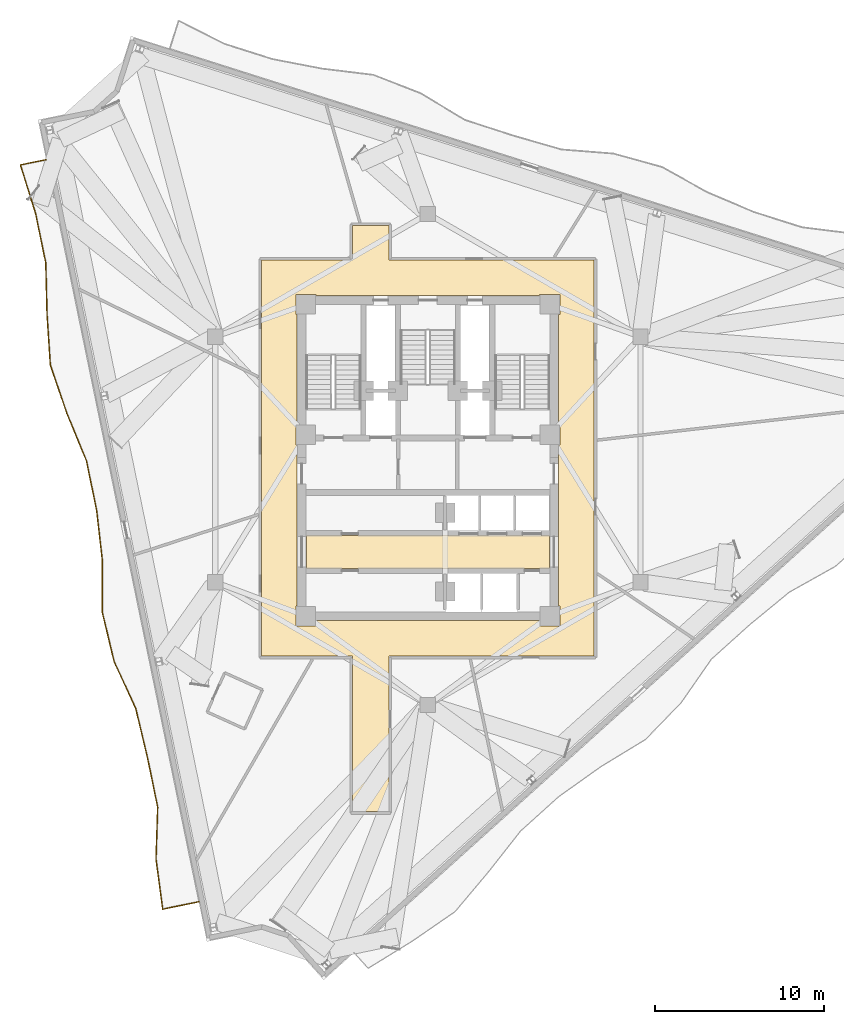
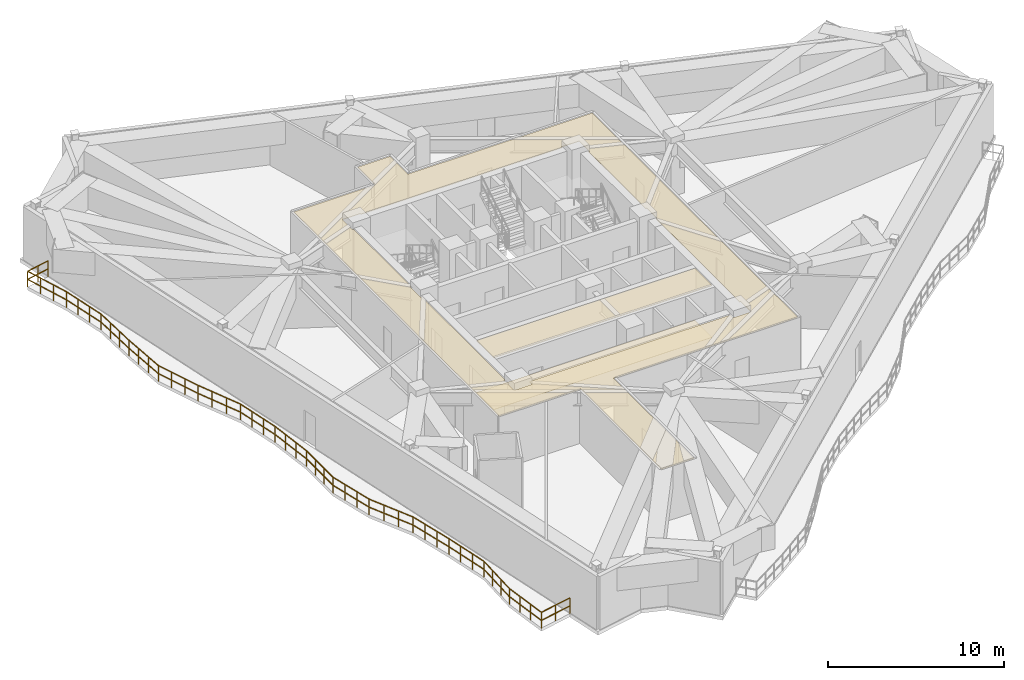
# One storey, part 9 of 12: 3 coverings, 1 railing.
"""IFC4 building model written with IfcOpenShell, lengths in metres."""

import ifcopenshell
import ifcopenshell.guid

model = None  # the IFC model being written
_history = None  # IfcOwnerHistory: only IFC2X3 demands one
_inside = {}  # id of a spatial element -> (the spatial element, [elements in it])
_under = {}  # id of a project, library or spatial element -> (it, [spatial elements below it])
_declared = {}  # id of a project -> (the project, [libraries it declares])
_typed = {}  # id of a type object -> (the type object, [elements of that type])
_made_of = {}  # id of a material, layer set ... -> (it, [elements and type objects made of it])


def new_model(schema):
    """Start an empty IFC model of exactly this schema.

    Asked for "IFC4X3", IfcOpenShell would pick the latest addendum, in which some entities
    have other attributes; the version numbers below select the first issue.
    IFC2X3 requires an IfcOwnerHistory on every rooted entity: one is made here for all.
    """
    global model, _history
    if schema == "IFC4X3":
        model = ifcopenshell.file(schema_version=(4, 3, 0, 0))
    else:
        model = ifcopenshell.file(schema=schema)
    _inside.clear()
    _under.clear()
    _declared.clear()
    _typed.clear()
    _made_of.clear()
    _history = None
    if model.schema == "IFC2X3":
        org = make("IfcOrganization", Name="unknown")
        user = make(
            "IfcPersonAndOrganization",
            ThePerson=make("IfcPerson", FamilyName="unknown"),
            TheOrganization=org,
        )
        app = make(
            "IfcApplication",
            ApplicationDeveloper=org,
            Version="unknown",
            ApplicationFullName="unknown",
            ApplicationIdentifier="unknown",
        )
        _history = make(
            "IfcOwnerHistory",
            OwningUser=user,
            OwningApplication=app,
            ChangeAction="ADDED",
            CreationDate=0,
        )
    return model


def make(cls, **values):
    """One entity of the class cls with the attributes given. An attribute that is None is left unset."""
    return model.create_entity(
        cls, **{name: value for name, value in values.items() if value is not None}
    )


def rooted(cls, **values):
    """An entity with a GlobalId (a new one), such as an element, a storey or a relation."""
    return make(cls, GlobalId=ifcopenshell.guid.new(), OwnerHistory=_history, **values)


def si_unit(unit_type, name, prefix=None):
    """IfcSIUnit, for example si_unit("LENGTHUNIT", "METRE", prefix="MILLI")."""
    return make("IfcSIUnit", UnitType=unit_type, Prefix=prefix, Name=name)


def assignment(units):
    """IfcUnitAssignment: the units of a project."""
    return None if units is None else make("IfcUnitAssignment", Units=units)


def point(xyz):
    """IfcCartesianPoint."""
    return None if xyz is None else make("IfcCartesianPoint", Coordinates=xyz)


def direction(xyz):
    """IfcDirection."""
    return None if xyz is None else make("IfcDirection", DirectionRatios=xyz)


def frame(location, z_axis=None, x_axis=None):
    """IfcAxis2Placement3D, a coordinate frame: its origin and axes. An axis left out is left unset."""
    return make(
        "IfcAxis2Placement3D",
        Location=point(location),
        Axis=direction(z_axis),
        RefDirection=direction(x_axis),
    )


def frame_2d(location, x_axis=None):
    """IfcAxis2Placement2D, a coordinate frame in the plane: its origin and x axis."""
    return make(
        "IfcAxis2Placement2D", Location=point(location), RefDirection=direction(x_axis)
    )


def origin():
    """The frame at (0, 0, 0) with its axes left unset."""
    return frame((0.0, 0.0, 0.0))


def origin_2d():
    """The frame at (0, 0) in the plane with its x axis left unset."""
    return frame_2d((0.0, 0.0))


def place(relative_to, where):
    """IfcLocalPlacement: puts the frame where relative to a parent placement (None: the world)."""
    return make(
        "IfcLocalPlacement", PlacementRelTo=relative_to, RelativePlacement=where
    )


def context(
    kind, dimensions, precision=None, world=None, true_north=None, identifier=None
):
    """IfcGeometricRepresentationContext, for example the 3D "Model" context."""
    return make(
        "IfcGeometricRepresentationContext",
        ContextIdentifier=identifier,
        ContextType=kind,
        CoordinateSpaceDimension=dimensions,
        Precision=precision,
        WorldCoordinateSystem=world,
        TrueNorth=true_north,
    )


def subcontext(parent, identifier, kind, view, scale=None):
    """IfcGeometricRepresentationSubContext, for example "Body" below "Model"."""
    return make(
        "IfcGeometricRepresentationSubContext",
        ContextIdentifier=identifier,
        ContextType=kind,
        ParentContext=parent,
        TargetScale=scale,
        TargetView=view,
    )


def project(units=None, contexts=None):
    """IfcProject with its units and contexts."""
    return rooted(
        "IfcProject",
        Name="project",
        RepresentationContexts=contexts,
        UnitsInContext=assignment(units),
    )


def spatial(cls, under=None, at=None, **own):
    """A site, building, storey or space (cls), placed at a placement, below another one or the project."""
    s = rooted(cls, ObjectPlacement=at, **own)
    if under is not None:
        _under.setdefault(under.id(), (under, []))[1].append(s)
    return s


def polyline(points):
    """IfcPolyline through the points."""
    return make("IfcPolyline", Points=[point(p) for p in points])


def profile(cls, at=None, kind="AREA", **sizes):
    """A parametric profile (cls). Its sizes go by their IFC names, for example OverallWidth=200.0."""
    return make(cls, ProfileType=kind, Position=at, **sizes)


def rectangle(**sizes):
    """IfcRectangleProfileDef."""
    return profile("IfcRectangleProfileDef", **sizes)


def outline(outer, holes=None, kind="AREA"):
    """IfcArbitraryClosedProfileDef: a profile drawn as a closed curve; with holes, ...WithVoids."""
    if holes is None:
        return make("IfcArbitraryClosedProfileDef", ProfileType=kind, OuterCurve=outer)
    return make(
        "IfcArbitraryProfileDefWithVoids",
        ProfileType=kind,
        OuterCurve=outer,
        InnerCurves=holes,
    )


def extrude(swept, where, along, depth):
    """IfcExtrudedAreaSolid: the profile swept, set in the frame where, extruded along a direction by depth."""
    return make(
        "IfcExtrudedAreaSolid",
        SweptArea=swept,
        Position=where,
        ExtrudedDirection=direction(along),
        Depth=depth,
    )


def shape(context_of_items, identifier, shape_type, items):
    """IfcShapeRepresentation: the items that make up one representation, for example the "Body"."""
    return make(
        "IfcShapeRepresentation",
        ContextOfItems=context_of_items,
        RepresentationIdentifier=identifier,
        RepresentationType=shape_type,
        Items=items,
    )


def material(Name=None, Category=None):
    """IfcMaterial."""
    return make("IfcMaterial", Name=Name, Category=Category)


def layer(
    of_material, thickness, ventilated=None, Name=None, Category=None, Priority=None
):
    """IfcMaterialLayer: one layer of a wall or slab, of a material (None: an air gap)."""
    return make(
        "IfcMaterialLayer",
        Material=of_material,
        LayerThickness=thickness,
        IsVentilated=ventilated,
        Name=Name,
        Category=Category,
        Priority=Priority,
    )


def layer_set(layers, Name=None):
    """IfcMaterialLayerSet."""
    return make("IfcMaterialLayerSet", MaterialLayers=layers, LayerSetName=Name)


def made_of(thing, what):
    """Note that an element or type object is made of a material, layer set ...; save() writes the relation."""
    if what is not None:
        _made_of.setdefault(what.id(), (what, []))[1].append(thing)
    return thing


def type_object(cls, material=None, **own):
    """A type object (cls), such as IfcWallType, which elements share."""
    return made_of(rooted(cls, **own), material)


def element(
    cls,
    number,
    at=None,
    inside=None,
    cuts=None,
    type_object=None,
    material=None,
    context=None,
    identifier="Body",
    shape_type=None,
    held_by="IfcProductDefinitionShape",
    body=None,
    shapes=None,
    **own,
):
    """One element of the class cls, such as IfcWall. Its Tag is "e" and its number.

    at: its placement. inside: the storey or other place that contains it. cuts: it is an
    opening in that element (IfcRelVoidsElement). A single representation is given by context,
    identifier, shape_type and body (its items); several are given by shapes. held_by: the class
    of the entity that holds the representations. save() writes the other relations.
    """
    e = rooted(cls, Tag="e%d" % number, ObjectPlacement=at, **own)
    if body is not None:
        shapes = [shape(context, identifier, shape_type, body)]
    if shapes is not None:
        e.Representation = make(held_by, Representations=shapes)
    if inside is not None:
        _inside.setdefault(inside.id(), (inside, []))[1].append(e)
    if cuts is not None:
        rooted(
            "IfcRelVoidsElement", RelatingBuildingElement=cuts, RelatedOpeningElement=e
        )
    if type_object is not None:
        _typed.setdefault(type_object.id(), (type_object, []))[1].append(e)
    return made_of(e, material)


def aggregate(whole, parts):
    """IfcRelAggregates: a whole, such as a stair, and the parts it consists of."""
    return rooted("IfcRelAggregates", RelatingObject=whole, RelatedObjects=parts)


def save(model, path):
    """Write the relations noted so far, then the file.

    IfcRelAggregates (storeys below a building ...), IfcRelContainedInSpatialStructure (elements
    in a storey), IfcRelDefinesByType, IfcRelAssociatesMaterial and IfcRelDeclares: one each for
    every whole, place, type object, material and project.
    """
    for whole, parts in _under.values():
        aggregate(whole, parts)
    for where, things in _inside.values():
        rooted(
            "IfcRelContainedInSpatialStructure",
            RelatedElements=things,
            RelatingStructure=where,
        )
    for kind, things in _typed.values():
        rooted("IfcRelDefinesByType", RelatedObjects=things, RelatingType=kind)
    for what, things in _made_of.values():
        rooted("IfcRelAssociatesMaterial", RelatedObjects=things, RelatingMaterial=what)
    for by, libraries in _declared.values():
        rooted("IfcRelDeclares", RelatingContext=by, RelatedDefinitions=libraries)
    model.write(path)


model = new_model("IFC4")

# Units and contexts
model_context = context("Model", 3, precision=1e-05, world=origin(), true_north=direction((0.0, 1.0)))
body_context = subcontext(model_context, "Body", "Model", "MODEL_VIEW")
ifc_project = project(units=[si_unit("LENGTHUNIT", "METRE"), si_unit("AREAUNIT", "SQUARE_METRE"), si_unit("VOLUMEUNIT", "CUBIC_METRE"), si_unit("PLANEANGLEUNIT", "RADIAN"), si_unit("MASSUNIT", "GRAM", prefix="KILO")], contexts=[model_context])

# Site, building, storey
site_placement = place(None, origin())
site = spatial("IfcSite", under=ifc_project, at=site_placement, CompositionType="ELEMENT")
building_placement = place(site_placement, origin())
building = spatial("IfcBuilding", under=site, at=building_placement, Name="Apsidion Concourse Tower", CompositionType="ELEMENT")
storey_placement = place(building_placement, frame((0.0, 0.0, 256.800048828125)))
storey = spatial("IfcBuildingStorey", under=building, at=storey_placement, Name="L60", CompositionType="ELEMENT", Elevation=256.800048828125)

# Coverings
ifc_material_1 = material(Name="Acoustic mineral fibre ceiling")
ifc_layer_1 = layer(ifc_material_1, 0.0400390625)
ifc_layer_set_1 = layer_set([ifc_layer_1], Name="Acoustic mineral fibre ceiling")
covering_type_1 = type_object("IfcCoveringType", Name="COV-CEIL-40", PredefinedType="CEILING", material=ifc_layer_set_1)
covering_1_placement = place(storey_placement, frame((0.0, 0.0, 3.599853515625)))
element("IfcCovering", 1, at=covering_1_placement, inside=storey, type_object=covering_type_1, Name="L60 Acoustic Ceiling Grid 1", PredefinedType="CEILING", context=body_context, shape_type="SweptSolid", body=[
    extrude(outline(polyline([(-7.179931640625, -6.449951171875), (-7.179931640625, -4.47998046875), (7.179931640625, -4.47998046875), (7.179931640625, -6.449951171875), (-7.179931640625, -6.449951171875)])), origin(), (0.0, 0.0, 1.0), 0.0400390625),
])
covering_2_placement = place(storey_placement, frame((0.0, 0.0, 3.599853515625)))
element("IfcCovering", 2, at=covering_2_placement, inside=storey, type_object=covering_type_1, Name="L60 Acoustic Ceiling Grid 2", PredefinedType="CEILING", context=body_context, shape_type="SweptSolid", body=[
    extrude(outline(polyline([(-9.820068359375, -11.6201171875), (-9.820068359375, 11.77001953125), (-4.449951171875, 11.77001953125), (-4.449951171875, 13.800048828125), (-2.300048828125, 13.800048828125), (-2.300048828125, 11.77001953125), (9.820068359375, 11.77001953125), (9.820068359375, -11.6201171875), (-2.300048828125, -11.6201171875), (-2.300048828125, -20.800048828125), (-4.449951171875, -20.800048828125), (-4.449951171875, -11.6201171875), (-9.820068359375, -11.6201171875)]), holes=[polyline([(-2.300048828125, 9.669921875), (-4.449951171875, 9.669921875), (-6.60498046875, 9.669921875), (-6.60498046875, 9.72509765625), (-6.60498046875, 9.72705078125), (-6.60546875, 9.72900390625), (-6.60595703125, 9.730712890625), (-6.6064453125, 9.732666015625), (-6.607421875, 9.734375), (-6.6083984375, 9.736083984375), (-6.609619140625, 9.73779296875), (-6.61083984375, 9.739013671875), (-6.6123046875, 9.740478515625), (-6.614013671875, 9.74169921875), (-6.615478515625, 9.74267578125), (-6.6171875, 9.743408203125), (-6.619140625, 9.744140625), (-6.62109375, 9.74462890625), (-6.623046875, 9.744873046875), (-6.625, 9.7451171875), (-7.77490234375, 9.7451171875), (-7.777099609375, 9.744873046875), (-7.77880859375, 9.74462890625), (-7.78076171875, 9.744140625), (-7.78271484375, 9.743408203125), (-7.784423828125, 9.74267578125), (-7.7861328125, 9.74169921875), (-7.78759765625, 9.740478515625), (-7.7890625, 9.739013671875), (-7.79052734375, 9.73779296875), (-7.79150390625, 9.736083984375), (-7.79248046875, 9.734375), (-7.79345703125, 9.732666015625), (-7.794189453125, 9.730712890625), (-7.794677734375, 9.72900390625), (-7.794921875, 9.72705078125), (-7.794921875, 9.72509765625), (-7.794921875, 8.574951171875), (-7.794921875, 8.572998046875), (-7.794677734375, 8.571044921875), (-7.794189453125, 8.569091796875), (-7.79345703125, 8.5673828125), (-7.79248046875, 8.565673828125), (-7.79150390625, 8.56396484375), (-7.79052734375, 8.562255859375), (-7.7890625, 8.560791015625), (-7.78759765625, 8.5595703125), (-7.7861328125, 8.558349609375), (-7.784423828125, 8.557373046875), (-7.78271484375, 8.556396484375), (-7.78076171875, 8.555908203125), (-7.77880859375, 8.555419921875), (-7.777099609375, 8.55517578125), (-7.77490234375, 8.554931640625), (-7.719970703125, 8.554931640625), (-7.719970703125, 2.044921875), (-7.77490234375, 2.044921875), (-7.777099609375, 2.044921875), (-7.77880859375, 2.044677734375), (-7.78076171875, 2.044189453125), (-7.78271484375, 2.04345703125), (-7.784423828125, 2.04248046875), (-7.7861328125, 2.04150390625), (-7.78759765625, 2.04052734375), (-7.7890625, 2.0390625), (-7.79052734375, 2.03759765625), (-7.79150390625, 2.0361328125), (-7.79248046875, 2.034423828125), (-7.79345703125, 2.03271484375), (-7.794189453125, 2.03076171875), (-7.794677734375, 2.02880859375), (-7.794921875, 2.027099609375), (-7.794921875, 2.02490234375), (-7.794921875, 0.875), (-7.794921875, 0.873046875), (-7.794677734375, 0.87109375), (-7.794189453125, 0.869140625), (-7.79345703125, 0.8671875), (-7.79248046875, 0.865478515625), (-7.79150390625, 0.864013671875), (-7.79052734375, 0.8623046875), (-7.7890625, 0.86083984375), (-7.78759765625, 0.859619140625), (-7.7861328125, 0.8583984375), (-7.784423828125, 0.857421875), (-7.78271484375, 0.8564453125), (-7.78076171875, 0.85595703125), (-7.77880859375, 0.85546875), (-7.777099609375, 0.85498046875), (-7.77490234375, 0.85498046875), (-7.719970703125, 0.85498046875), (-7.719970703125, -8.655029296875), (-7.77490234375, -8.655029296875), (-7.777099609375, -8.655029296875), (-7.77880859375, -8.655517578125), (-7.78076171875, -8.656005859375), (-7.78271484375, -8.656494140625), (-7.784423828125, -8.657470703125), (-7.7861328125, -8.658447265625), (-7.78759765625, -8.659423828125), (-7.7890625, -8.660888671875), (-7.79052734375, -8.662353515625), (-7.79150390625, -8.663818359375), (-7.79248046875, -8.66552734375), (-7.79345703125, -8.667236328125), (-7.794189453125, -8.669189453125), (-7.794677734375, -8.671142578125), (-7.794921875, -8.673095703125), (-7.794921875, -8.675048828125), (-7.794921875, -9.824951171875), (-7.794921875, -9.826904296875), (-7.794677734375, -9.828857421875), (-7.794189453125, -9.830810546875), (-7.79345703125, -9.832763671875), (-7.79248046875, -9.83447265625), (-7.79150390625, -9.836181640625), (-7.79052734375, -9.837646484375), (-7.7890625, -9.839111328125), (-7.78759765625, -9.840576171875), (-7.7861328125, -9.841552734375), (-7.784423828125, -9.842529296875), (-7.78271484375, -9.843505859375), (-7.78076171875, -9.843994140625), (-7.77880859375, -9.844482421875), (-7.777099609375, -9.844970703125), (-7.77490234375, -9.844970703125), (-6.625, -9.844970703125), (-6.623046875, -9.844970703125), (-6.62109375, -9.844482421875), (-6.619140625, -9.843994140625), (-6.6171875, -9.843505859375), (-6.615478515625, -9.842529296875), (-6.614013671875, -9.841552734375), (-6.6123046875, -9.840576171875), (-6.61083984375, -9.839111328125), (-6.609619140625, -9.837646484375), (-6.6083984375, -9.836181640625), (-6.607421875, -9.83447265625), (-6.6064453125, -9.832763671875), (-6.60595703125, -9.830810546875), (-6.60546875, -9.828857421875), (-6.60498046875, -9.826904296875), (-6.60498046875, -9.824951171875), (-6.60498046875, -9.52001953125), (-4.449951171875, -9.52001953125), (-2.300048828125, -9.52001953125), (6.60498046875, -9.52001953125), (6.60498046875, -9.824951171875), (6.60498046875, -9.826904296875), (6.60546875, -9.828857421875), (6.60595703125, -9.830810546875), (6.6064453125, -9.832763671875), (6.607421875, -9.83447265625), (6.6083984375, -9.836181640625), (6.609619140625, -9.837646484375), (6.61083984375, -9.839111328125), (6.6123046875, -9.840576171875), (6.614013671875, -9.841552734375), (6.615478515625, -9.842529296875), (6.6171875, -9.843505859375), (6.619140625, -9.843994140625), (6.62109375, -9.844482421875), (6.623046875, -9.844970703125), (6.625, -9.844970703125), (7.77490234375, -9.844970703125), (7.777099609375, -9.844970703125), (7.77880859375, -9.844482421875), (7.78076171875, -9.843994140625), (7.78271484375, -9.843505859375), (7.784423828125, -9.842529296875), (7.7861328125, -9.841552734375), (7.78759765625, -9.840576171875), (7.7890625, -9.839111328125), (7.79052734375, -9.837646484375), (7.79150390625, -9.836181640625), (7.79248046875, -9.83447265625), (7.79345703125, -9.832763671875), (7.794189453125, -9.830810546875), (7.794677734375, -9.828857421875), (7.794921875, -9.826904296875), (7.794921875, -9.824951171875), (7.794921875, -8.675048828125), (7.794921875, -8.673095703125), (7.794677734375, -8.671142578125), (7.794189453125, -8.669189453125), (7.79345703125, -8.667236328125), (7.79248046875, -8.66552734375), (7.79150390625, -8.663818359375), (7.79052734375, -8.662353515625), (7.7890625, -8.660888671875), (7.78759765625, -8.659423828125), (7.7861328125, -8.658447265625), (7.784423828125, -8.657470703125), (7.78271484375, -8.656494140625), (7.78076171875, -8.656005859375), (7.77880859375, -8.655517578125), (7.777099609375, -8.655029296875), (7.77490234375, -8.655029296875), (7.719970703125, -8.655029296875), (7.719970703125, 0.85498046875), (7.77490234375, 0.85498046875), (7.777099609375, 0.85498046875), (7.77880859375, 0.85546875), (7.78076171875, 0.85595703125), (7.78271484375, 0.8564453125), (7.784423828125, 0.857421875), (7.7861328125, 0.8583984375), (7.78759765625, 0.859619140625), (7.7890625, 0.86083984375), (7.79052734375, 0.8623046875), (7.79150390625, 0.864013671875), (7.79248046875, 0.865478515625), (7.79345703125, 0.8671875), (7.794189453125, 0.869140625), (7.794677734375, 0.87109375), (7.794921875, 0.873046875), (7.794921875, 0.875), (7.794921875, 2.02490234375), (7.794921875, 2.027099609375), (7.794677734375, 2.02880859375), (7.794189453125, 2.03076171875), (7.79345703125, 2.03271484375), (7.79248046875, 2.034423828125), (7.79150390625, 2.0361328125), (7.79052734375, 2.03759765625), (7.7890625, 2.0390625), (7.78759765625, 2.04052734375), (7.7861328125, 2.04150390625), (7.784423828125, 2.04248046875), (7.78271484375, 2.04345703125), (7.78076171875, 2.044189453125), (7.77880859375, 2.044677734375), (7.777099609375, 2.044921875), (7.77490234375, 2.044921875), (7.719970703125, 2.044921875), (7.719970703125, 8.554931640625), (7.77490234375, 8.554931640625), (7.777099609375, 8.55517578125), (7.77880859375, 8.555419921875), (7.78076171875, 8.555908203125), (7.78271484375, 8.556396484375), (7.784423828125, 8.557373046875), (7.7861328125, 8.558349609375), (7.78759765625, 8.5595703125), (7.7890625, 8.560791015625), (7.79052734375, 8.562255859375), (7.79150390625, 8.56396484375), (7.79248046875, 8.565673828125), (7.79345703125, 8.5673828125), (7.794189453125, 8.569091796875), (7.794677734375, 8.571044921875), (7.794921875, 8.572998046875), (7.794921875, 8.574951171875), (7.794921875, 9.72509765625), (7.794921875, 9.72705078125), (7.794677734375, 9.72900390625), (7.794189453125, 9.730712890625), (7.79345703125, 9.732666015625), (7.79248046875, 9.734375), (7.79150390625, 9.736083984375), (7.79052734375, 9.73779296875), (7.7890625, 9.739013671875), (7.78759765625, 9.740478515625), (7.7861328125, 9.74169921875), (7.784423828125, 9.74267578125), (7.78271484375, 9.743408203125), (7.78076171875, 9.744140625), (7.77880859375, 9.74462890625), (7.777099609375, 9.744873046875), (7.77490234375, 9.7451171875), (6.625, 9.7451171875), (6.623046875, 9.744873046875), (6.62109375, 9.74462890625), (6.619140625, 9.744140625), (6.6171875, 9.743408203125), (6.615478515625, 9.74267578125), (6.614013671875, 9.74169921875), (6.6123046875, 9.740478515625), (6.61083984375, 9.739013671875), (6.609619140625, 9.73779296875), (6.6083984375, 9.736083984375), (6.607421875, 9.734375), (6.6064453125, 9.732666015625), (6.60595703125, 9.730712890625), (6.60546875, 9.72900390625), (6.60498046875, 9.72705078125), (6.60498046875, 9.72509765625), (6.60498046875, 9.669921875), (-2.300048828125, 9.669921875)])]), origin(), (0.0, 0.0, 1.0), 0.0400390625),
])
ifc_material_2 = material(Name="Honed travertine floor finish", Category="masonry")
ifc_layer_2 = layer(ifc_material_2, 0.02001953125)
ifc_layer_set_2 = layer_set([ifc_layer_2], Name="Honed travertine floor finish")
covering_type_2 = type_object("IfcCoveringType", Name="COV-FLOR-20", PredefinedType="FLOORING", material=ifc_layer_set_2)
covering_3_placement = place(storey_placement, origin())
element("IfcCovering", 3, at=covering_3_placement, inside=storey, type_object=covering_type_2, Name="L60 Honed Travertine Floor Finish 1", PredefinedType="FLOORING", context=body_context, shape_type="SweptSolid", body=[
    extrude(outline(polyline([(-7.179931640625, -6.449951171875), (-7.179931640625, -4.47998046875), (7.179931640625, -4.47998046875), (7.179931640625, -6.449951171875), (-7.179931640625, -6.449951171875)])), origin(), (0.0, 0.0, 1.0), 0.02001953125),
])

# Railing
ifc_material_3 = material(Name="Brushed stainless steel 316", Category="steel")
railing_type = type_object("IfcRailingType", Name="RL-BAL-1120", PredefinedType="BALUSTRADE", material=ifc_material_3)
railing_placement = place(storey_placement, frame((-13.5322265625, -26.12451171875, 0.0)))
element("IfcRailing", 4, at=railing_placement, inside=storey, type_object=railing_type, Name="L60 Face 1 Rippling Balcony Balustrade", PredefinedType="BALUSTRADE", context=body_context, shape_type="SweptSolid", body=[
    extrude(rectangle(XDim=0.048095703125, YDim=0.048095703125, at=origin_2d()), frame((0.0, 0.0, 1.09619140625), z_axis=(-0.979489671439, -0.201494375963, 0.0), x_axis=(0.201494375963, -0.979489671439, 0.0)), (0.0, 0.0, 1.0), 2.172607421875),
    extrude(rectangle(XDim=0.048095703125, YDim=0.048095703125, at=origin_2d()), frame((0.0, 0.0, 0.5361328125), z_axis=(-0.979489671439, -0.201494375963, 0.0), x_axis=(0.201494375963, -0.979489671439, 0.0)), (0.0, 0.0, 1.0), 2.172607421875),
    extrude(rectangle(XDim=0.048095703125, YDim=0.048095703125, at=origin_2d()), frame((-2.1279296875, -0.437744140625, 1.09619140625), z_axis=(-0.132912359891, 0.991127794277, 0.0), x_axis=(-0.991127794277, -0.132912359891, 0.0)), (0.0, 0.0, 1.0), 2.990478515625),
    extrude(rectangle(XDim=0.048095703125, YDim=0.048095703125, at=origin_2d()), frame((-2.1279296875, -0.437744140625, 0.5361328125), z_axis=(-0.132912359891, 0.991127794277, 0.0), x_axis=(-0.991127794277, -0.132912359891, 0.0)), (0.0, 0.0, 1.0), 2.990478515625),
    extrude(rectangle(XDim=0.048095703125, YDim=0.048095703125, at=origin_2d()), frame((-2.525390625, 2.526123046875, 1.09619140625), z_axis=(0.032315676605, 0.99947771213, 0.0), x_axis=(-0.99947771213, 0.032315676605, 0.0)), (0.0, 0.0, 1.0), 3.0673828125),
    extrude(rectangle(XDim=0.048095703125, YDim=0.048095703125, at=origin_2d()), frame((-2.525390625, 2.526123046875, 0.5361328125), z_axis=(0.032315676605, 0.99947771213, 0.0), x_axis=(-0.99947771213, 0.032315676605, 0.0)), (0.0, 0.0, 1.0), 3.0673828125),
    extrude(rectangle(XDim=0.048095703125, YDim=0.048095703125, at=origin_2d()), frame((-2.42626953125, 5.591796875, 1.09619140625), z_axis=(-0.201417367965, 0.979505509878, 0.0), x_axis=(-0.979505509878, -0.201417367965, 0.0)), (0.0, 0.0, 1.0), 2.98291015625),
    extrude(rectangle(XDim=0.048095703125, YDim=0.048095703125, at=origin_2d()), frame((-2.42626953125, 5.591796875, 0.5361328125), z_axis=(-0.201417367965, 0.979505509878, 0.0), x_axis=(-0.979505509878, -0.201417367965, 0.0)), (0.0, 0.0, 1.0), 2.98291015625),
    extrude(rectangle(XDim=0.048095703125, YDim=0.048095703125, at=origin_2d()), frame((-3.027099609375, 8.513671875, 1.09619140625), z_axis=(-0.232803651703, 0.972523757938, 0.0), x_axis=(-0.972523757938, -0.232803651703, 0.0)), (0.0, 0.0, 1.0), 2.984619140625),
    extrude(rectangle(XDim=0.048095703125, YDim=0.048095703125, at=origin_2d()), frame((-3.027099609375, 8.513671875, 0.5361328125), z_axis=(-0.232803651703, 0.972523757938, 0.0), x_axis=(-0.972523757938, -0.232803651703, 0.0)), (0.0, 0.0, 1.0), 2.984619140625),
    extrude(rectangle(XDim=0.048095703125, YDim=0.048095703125, at=origin_2d()), frame((-3.721923828125, 11.416259765625, 1.09619140625), z_axis=(-0.417960875719, 0.908465027598, 0.0), x_axis=(-0.908465027598, -0.417960875719, 0.0)), (0.0, 0.0, 1.0), 3.0625),
    extrude(rectangle(XDim=0.048095703125, YDim=0.048095703125, at=origin_2d()), frame((-3.721923828125, 11.416259765625, 0.5361328125), z_axis=(-0.417960875719, 0.908465027598, 0.0), x_axis=(-0.908465027598, -0.417960875719, 0.0)), (0.0, 0.0, 1.0), 3.0625),
    extrude(rectangle(XDim=0.048095703125, YDim=0.048095703125, at=origin_2d()), frame((-5.001953125, 14.198486328125, 1.09619140625), z_axis=(-0.232553028661, 0.972583718176, 0.0), x_axis=(-0.972583718176, -0.232553028661, 0.0)), (0.0, 0.0, 1.0), 2.984619140625),
    extrude(rectangle(XDim=0.048095703125, YDim=0.048095703125, at=origin_2d()), frame((-5.001953125, 14.198486328125, 0.5361328125), z_axis=(-0.232553028661, 0.972583718176, 0.0), x_axis=(-0.972583718176, -0.232553028661, 0.0)), (0.0, 0.0, 1.0), 2.984619140625),
    extrude(rectangle(XDim=0.048095703125, YDim=0.048095703125, at=origin_2d()), frame((-5.696044921875, 17.101318359375, 1.09619140625), z_axis=(0.001843240978, 0.99999830123, 0.0), x_axis=(-0.99999830123, 0.001843240978, 0.0)), (0.0, 0.0, 1.0), 3.04638671875),
    extrude(rectangle(XDim=0.048095703125, YDim=0.048095703125, at=origin_2d()), frame((-5.696044921875, 17.101318359375, 0.5361328125), z_axis=(0.001843240978, 0.99999830123, 0.0), x_axis=(-0.99999830123, 0.001843240978, 0.0)), (0.0, 0.0, 1.0), 3.04638671875),
    extrude(rectangle(XDim=0.048095703125, YDim=0.048095703125, at=origin_2d()), frame((-5.6904296875, 20.147705078125, 1.09619140625), z_axis=(-0.11388455761, 0.993493989684, 0.0), x_axis=(-0.993493989684, -0.11388455761, 0.0)), (0.0, 0.0, 1.0), 2.994873046875),
    extrude(rectangle(XDim=0.048095703125, YDim=0.048095703125, at=origin_2d()), frame((-5.6904296875, 20.147705078125, 0.5361328125), z_axis=(-0.11388455761, 0.993493989684, 0.0), x_axis=(-0.993493989684, -0.11388455761, 0.0)), (0.0, 0.0, 1.0), 2.994873046875),
    extrude(rectangle(XDim=0.048095703125, YDim=0.048095703125, at=origin_2d()), frame((-6.031494140625, 23.123046875, 1.09619140625), z_axis=(-0.201417367965, 0.979505509878, 0.0), x_axis=(-0.979505509878, -0.201417367965, 0.0)), (0.0, 0.0, 1.0), 2.98291015625),
    extrude(rectangle(XDim=0.048095703125, YDim=0.048095703125, at=origin_2d()), frame((-6.031494140625, 23.123046875, 0.5361328125), z_axis=(-0.201417367965, 0.979505509878, 0.0), x_axis=(-0.979505509878, -0.201417367965, 0.0)), (0.0, 0.0, 1.0), 2.98291015625),
    extrude(rectangle(XDim=0.048095703125, YDim=0.048095703125, at=origin_2d()), frame((-6.63232421875, 26.044921875, 1.09619140625), z_axis=(-0.381239027369, 0.924476502682, 0.0), x_axis=(-0.924476502682, -0.381239027369, 0.0)), (0.0, 0.0, 1.0), 3.03662109375),
    extrude(rectangle(XDim=0.048095703125, YDim=0.048095703125, at=origin_2d()), frame((-6.63232421875, 26.044921875, 0.5361328125), z_axis=(-0.381239027369, 0.924476502682, 0.0), x_axis=(-0.924476502682, -0.381239027369, 0.0)), (0.0, 0.0, 1.0), 3.03662109375),
    extrude(rectangle(XDim=0.048095703125, YDim=0.048095703125, at=origin_2d()), frame((-7.7900390625, 28.852294921875, 1.09619140625), z_axis=(-0.323913346795, 0.94608675277, 0.0), x_axis=(-0.94608675277, -0.323913346795, 0.0)), (0.0, 0.0, 1.0), 3.00732421875),
    extrude(rectangle(XDim=0.048095703125, YDim=0.048095703125, at=origin_2d()), frame((-7.7900390625, 28.852294921875, 0.5361328125), z_axis=(-0.323913346795, 0.94608675277, 0.0), x_axis=(-0.94608675277, -0.323913346795, 0.0)), (0.0, 0.0, 1.0), 3.00732421875),
    extrude(rectangle(XDim=0.048095703125, YDim=0.048095703125, at=origin_2d()), frame((-8.76416015625, 31.697509765625, 1.09619140625), z_axis=(-0.065184439326, 0.997873232866, 0.0), x_axis=(-0.997873232866, -0.065184439326, 0.0)), (0.0, 0.0, 1.0), 3.01123046875),
    extrude(rectangle(XDim=0.048095703125, YDim=0.048095703125, at=origin_2d()), frame((-8.76416015625, 31.697509765625, 0.5361328125), z_axis=(-0.065184439326, 0.997873232866, 0.0), x_axis=(-0.997873232866, -0.065184439326, 0.0)), (0.0, 0.0, 1.0), 3.01123046875),
    extrude(rectangle(XDim=0.048095703125, YDim=0.048095703125, at=origin_2d()), frame((-8.96044921875, 34.702392578125, 1.09619140625), z_axis=(-0.024809056487, 0.99969220799, 0.0), x_axis=(-0.99969220799, -0.024809056487, 0.0)), (0.0, 0.0, 1.0), 3.031005859375),
    extrude(rectangle(XDim=0.048095703125, YDim=0.048095703125, at=origin_2d()), frame((-8.96044921875, 34.702392578125, 0.5361328125), z_axis=(-0.024809056487, 0.99969220799, 0.0), x_axis=(-0.99969220799, -0.024809056487, 0.0)), (0.0, 0.0, 1.0), 3.031005859375),
    extrude(rectangle(XDim=0.048095703125, YDim=0.048095703125, at=origin_2d()), frame((-9.03564453125, 37.732421875, 1.09619140625), z_axis=(-0.201417367965, 0.979505509878, 0.0), x_axis=(-0.979505509878, -0.201417367965, 0.0)), (0.0, 0.0, 1.0), 2.98291015625),
    extrude(rectangle(XDim=0.048095703125, YDim=0.048095703125, at=origin_2d()), frame((-9.03564453125, 37.732421875, 0.5361328125), z_axis=(-0.201417367965, 0.979505509878, 0.0), x_axis=(-0.979505509878, -0.201417367965, 0.0)), (0.0, 0.0, 1.0), 2.98291015625),
    extrude(rectangle(XDim=0.048095703125, YDim=0.048095703125, at=origin_2d()), frame((-9.636474609375, 40.654296875, 1.09619140625), z_axis=(-0.298437267249, 0.954429252232, 0.0), x_axis=(-0.954429252232, -0.298437267249, 0.0)), (0.0, 0.0, 1.0), 2.998291015625),
    extrude(rectangle(XDim=0.048095703125, YDim=0.048095703125, at=origin_2d()), frame((-9.636474609375, 40.654296875, 0.5361328125), z_axis=(-0.298437267249, 0.954429252232, 0.0), x_axis=(-0.954429252232, -0.298437267249, 0.0)), (0.0, 0.0, 1.0), 2.998291015625),
    extrude(rectangle(XDim=0.048095703125, YDim=0.048095703125, at=origin_2d()), frame((-10.53125, 43.515869140625, 1.09619140625), z_axis=(0.979493630559, 0.201475129219, 0.0), x_axis=(-0.201475129219, 0.979493630559, 0.0)), (0.0, 0.0, 1.0), 1.5498046875),
    extrude(rectangle(XDim=0.048095703125, YDim=0.048095703125, at=origin_2d()), frame((-10.53125, 43.515869140625, 0.5361328125), z_axis=(0.979493630559, 0.201475129219, 0.0), x_axis=(-0.201475129219, 0.979493630559, 0.0)), (0.0, 0.0, 1.0), 1.5498046875),
    extrude(rectangle(XDim=0.0419921875, YDim=0.0419921875, at=origin_2d()), origin(), (0.0, 0.0, 1.0), 1.072021484375),
    extrude(rectangle(XDim=0.0419921875, YDim=0.0419921875, at=origin_2d()), frame((-1.06396484375, -0.21875, 0.0)), (0.0, 0.0, 1.0), 1.072021484375),
    extrude(rectangle(XDim=0.0419921875, YDim=0.0419921875, at=origin_2d()), frame((-2.1279296875, -0.437744140625, 0.0)), (0.0, 0.0, 1.0), 1.072021484375),
    extrude(rectangle(XDim=0.0419921875, YDim=0.0419921875, at=origin_2d()), frame((-2.260498046875, 0.55029296875, 0.0)), (0.0, 0.0, 1.0), 1.072021484375),
    extrude(rectangle(XDim=0.0419921875, YDim=0.0419921875, at=origin_2d()), frame((-2.392822265625, 1.5380859375, 0.0)), (0.0, 0.0, 1.0), 1.072021484375),
    extrude(rectangle(XDim=0.0419921875, YDim=0.0419921875, at=origin_2d()), frame((-2.525390625, 2.526123046875, 0.0)), (0.0, 0.0, 1.0), 1.072021484375),
    extrude(rectangle(XDim=0.0419921875, YDim=0.0419921875, at=origin_2d()), frame((-2.492431640625, 3.548095703125, 0.0)), (0.0, 0.0, 1.0), 1.072021484375),
    extrude(rectangle(XDim=0.0419921875, YDim=0.0419921875, at=origin_2d()), frame((-2.459228515625, 4.56982421875, 0.0)), (0.0, 0.0, 1.0), 1.072021484375),
    extrude(rectangle(XDim=0.0419921875, YDim=0.0419921875, at=origin_2d()), frame((-2.42626953125, 5.591796875, 0.0)), (0.0, 0.0, 1.0), 1.072021484375),
    extrude(rectangle(XDim=0.0419921875, YDim=0.0419921875, at=origin_2d()), frame((-2.62646484375, 6.565673828125, 0.0)), (0.0, 0.0, 1.0), 1.072021484375),
    extrude(rectangle(XDim=0.0419921875, YDim=0.0419921875, at=origin_2d()), frame((-2.826904296875, 7.539794921875, 0.0)), (0.0, 0.0, 1.0), 1.072021484375),
    extrude(rectangle(XDim=0.0419921875, YDim=0.0419921875, at=origin_2d()), frame((-3.027099609375, 8.513671875, 0.0)), (0.0, 0.0, 1.0), 1.072021484375),
    extrude(rectangle(XDim=0.0419921875, YDim=0.0419921875, at=origin_2d()), frame((-3.2587890625, 9.481201171875, 0.0)), (0.0, 0.0, 1.0), 1.072021484375),
    extrude(rectangle(XDim=0.0419921875, YDim=0.0419921875, at=origin_2d()), frame((-3.490234375, 10.44873046875, 0.0)), (0.0, 0.0, 1.0), 1.072021484375),
    extrude(rectangle(XDim=0.0419921875, YDim=0.0419921875, at=origin_2d()), frame((-3.721923828125, 11.416259765625, 0.0)), (0.0, 0.0, 1.0), 1.072021484375),
    extrude(rectangle(XDim=0.0419921875, YDim=0.0419921875, at=origin_2d()), frame((-4.148681640625, 12.34375, 0.0)), (0.0, 0.0, 1.0), 1.072021484375),
    extrude(rectangle(XDim=0.0419921875, YDim=0.0419921875, at=origin_2d()), frame((-4.5751953125, 13.27099609375, 0.0)), (0.0, 0.0, 1.0), 1.072021484375),
    extrude(rectangle(XDim=0.0419921875, YDim=0.0419921875, at=origin_2d()), frame((-5.001953125, 14.198486328125, 0.0)), (0.0, 0.0, 1.0), 1.072021484375),
    extrude(rectangle(XDim=0.0419921875, YDim=0.0419921875, at=origin_2d()), frame((-5.2333984375, 15.166015625, 0.0)), (0.0, 0.0, 1.0), 1.072021484375),
    extrude(rectangle(XDim=0.0419921875, YDim=0.0419921875, at=origin_2d()), frame((-5.464599609375, 16.1337890625, 0.0)), (0.0, 0.0, 1.0), 1.072021484375),
    extrude(rectangle(XDim=0.0419921875, YDim=0.0419921875, at=origin_2d()), frame((-5.696044921875, 17.101318359375, 0.0)), (0.0, 0.0, 1.0), 1.072021484375),
    extrude(rectangle(XDim=0.0419921875, YDim=0.0419921875, at=origin_2d()), frame((-5.694091796875, 18.11669921875, 0.0)), (0.0, 0.0, 1.0), 1.072021484375),
    extrude(rectangle(XDim=0.0419921875, YDim=0.0419921875, at=origin_2d()), frame((-5.6923828125, 19.13232421875, 0.0)), (0.0, 0.0, 1.0), 1.072021484375),
    extrude(rectangle(XDim=0.0419921875, YDim=0.0419921875, at=origin_2d()), frame((-5.6904296875, 20.147705078125, 0.0)), (0.0, 0.0, 1.0), 1.072021484375),
    extrude(rectangle(XDim=0.0419921875, YDim=0.0419921875, at=origin_2d()), frame((-5.80419921875, 21.139404296875, 0.0)), (0.0, 0.0, 1.0), 1.072021484375),
    extrude(rectangle(XDim=0.0419921875, YDim=0.0419921875, at=origin_2d()), frame((-5.917724609375, 22.13134765625, 0.0)), (0.0, 0.0, 1.0), 1.072021484375),
    extrude(rectangle(XDim=0.0419921875, YDim=0.0419921875, at=origin_2d()), frame((-6.031494140625, 23.123046875, 0.0)), (0.0, 0.0, 1.0), 1.072021484375),
    extrude(rectangle(XDim=0.0419921875, YDim=0.0419921875, at=origin_2d()), frame((-6.231689453125, 24.096923828125, 0.0)), (0.0, 0.0, 1.0), 1.072021484375),
    extrude(rectangle(XDim=0.0419921875, YDim=0.0419921875, at=origin_2d()), frame((-6.43212890625, 25.071044921875, 0.0)), (0.0, 0.0, 1.0), 1.072021484375),
    extrude(rectangle(XDim=0.0419921875, YDim=0.0419921875, at=origin_2d()), frame((-6.63232421875, 26.044921875, 0.0)), (0.0, 0.0, 1.0), 1.072021484375),
    extrude(rectangle(XDim=0.0419921875, YDim=0.0419921875, at=origin_2d()), frame((-7.018310546875, 26.980712890625, 0.0)), (0.0, 0.0, 1.0), 1.072021484375),
    extrude(rectangle(XDim=0.0419921875, YDim=0.0419921875, at=origin_2d()), frame((-7.404052734375, 27.91650390625, 0.0)), (0.0, 0.0, 1.0), 1.072021484375),
    extrude(rectangle(XDim=0.0419921875, YDim=0.0419921875, at=origin_2d()), frame((-7.7900390625, 28.852294921875, 0.0)), (0.0, 0.0, 1.0), 1.072021484375),
    extrude(rectangle(XDim=0.0419921875, YDim=0.0419921875, at=origin_2d()), frame((-8.11474609375, 29.80078125, 0.0)), (0.0, 0.0, 1.0), 1.072021484375),
    extrude(rectangle(XDim=0.0419921875, YDim=0.0419921875, at=origin_2d()), frame((-8.439453125, 30.7490234375, 0.0)), (0.0, 0.0, 1.0), 1.072021484375),
    extrude(rectangle(XDim=0.0419921875, YDim=0.0419921875, at=origin_2d()), frame((-8.76416015625, 31.697509765625, 0.0)), (0.0, 0.0, 1.0), 1.072021484375),
    extrude(rectangle(XDim=0.0419921875, YDim=0.0419921875, at=origin_2d()), frame((-8.82958984375, 32.69921875, 0.0)), (0.0, 0.0, 1.0), 1.072021484375),
    extrude(rectangle(XDim=0.0419921875, YDim=0.0419921875, at=origin_2d()), frame((-8.89501953125, 33.70068359375, 0.0)), (0.0, 0.0, 1.0), 1.072021484375),
    extrude(rectangle(XDim=0.0419921875, YDim=0.0419921875, at=origin_2d()), frame((-8.96044921875, 34.702392578125, 0.0)), (0.0, 0.0, 1.0), 1.072021484375),
    extrude(rectangle(XDim=0.0419921875, YDim=0.0419921875, at=origin_2d()), frame((-8.985595703125, 35.71240234375, 0.0)), (0.0, 0.0, 1.0), 1.072021484375),
    extrude(rectangle(XDim=0.0419921875, YDim=0.0419921875, at=origin_2d()), frame((-9.010498046875, 36.722412109375, 0.0)), (0.0, 0.0, 1.0), 1.072021484375),
    extrude(rectangle(XDim=0.0419921875, YDim=0.0419921875, at=origin_2d()), frame((-9.03564453125, 37.732421875, 0.0)), (0.0, 0.0, 1.0), 1.072021484375),
    extrude(rectangle(XDim=0.0419921875, YDim=0.0419921875, at=origin_2d()), frame((-9.23583984375, 38.706298828125, 0.0)), (0.0, 0.0, 1.0), 1.072021484375),
    extrude(rectangle(XDim=0.0419921875, YDim=0.0419921875, at=origin_2d()), frame((-9.436279296875, 39.680419921875, 0.0)), (0.0, 0.0, 1.0), 1.072021484375),
    extrude(rectangle(XDim=0.0419921875, YDim=0.0419921875, at=origin_2d()), frame((-9.636474609375, 40.654296875, 0.0)), (0.0, 0.0, 1.0), 1.072021484375),
    extrude(rectangle(XDim=0.0419921875, YDim=0.0419921875, at=origin_2d()), frame((-9.934814453125, 41.608154296875, 0.0)), (0.0, 0.0, 1.0), 1.072021484375),
    extrude(rectangle(XDim=0.0419921875, YDim=0.0419921875, at=origin_2d()), frame((-10.23291015625, 42.56201171875, 0.0)), (0.0, 0.0, 1.0), 1.072021484375),
    extrude(rectangle(XDim=0.0419921875, YDim=0.0419921875, at=origin_2d()), frame((-10.53125, 43.515869140625, 0.0)), (0.0, 0.0, 1.0), 1.072021484375),
    extrude(rectangle(XDim=0.0419921875, YDim=0.0419921875, at=origin_2d()), frame((-9.772216796875, 43.671875, 0.0)), (0.0, 0.0, 1.0), 1.072021484375),
    extrude(rectangle(XDim=0.0419921875, YDim=0.0419921875, at=origin_2d()), frame((-9.01318359375, 43.828125, 0.0)), (0.0, 0.0, 1.0), 1.072021484375),
])

save(model, "model.ifc")
